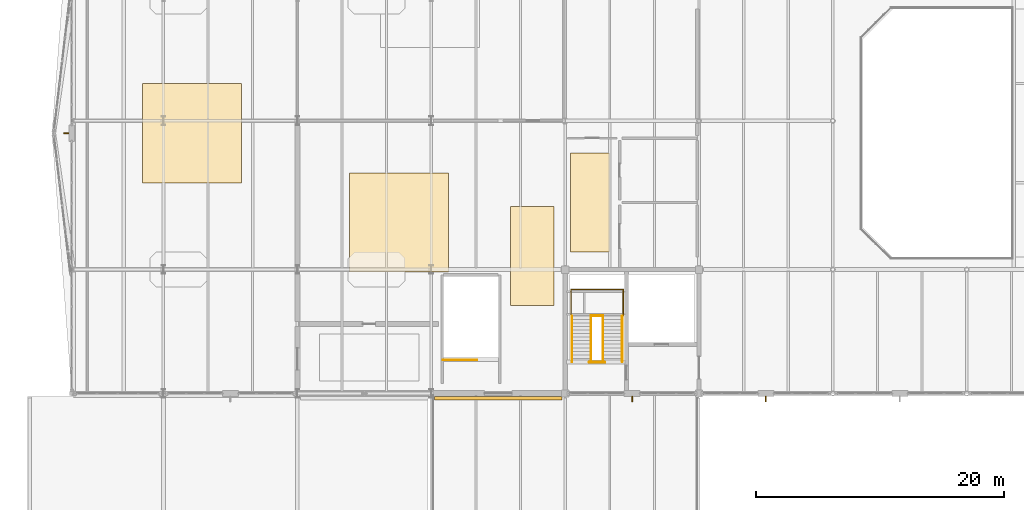
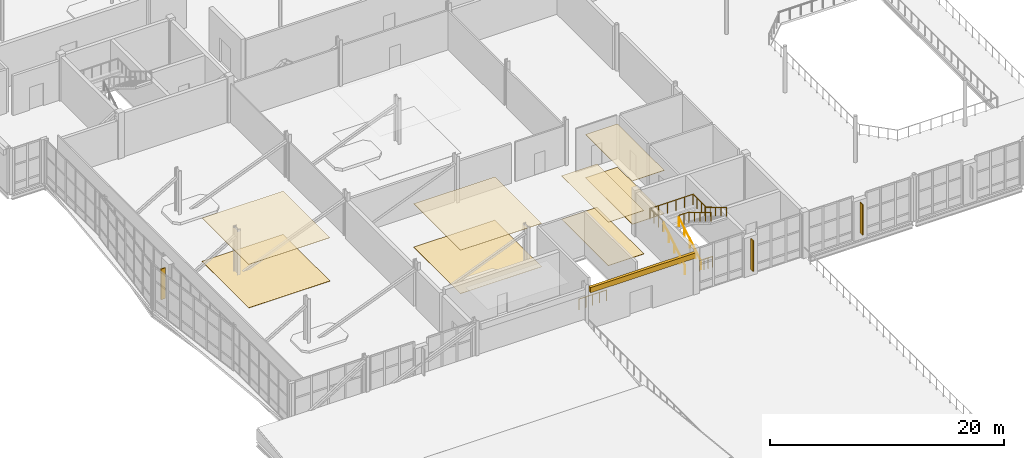
# One storey, part 92 of 100: 9 coverings, 8 railings, 3 shading devices.
"""IFC4 building model written with IfcOpenShell, lengths in metres."""

import ifcopenshell
import ifcopenshell.guid

model = None  # the IFC model being written
_history = None  # IfcOwnerHistory: only IFC2X3 demands one
_inside = {}  # id of a spatial element -> (the spatial element, [elements in it])
_under = {}  # id of a project, library or spatial element -> (it, [spatial elements below it])
_declared = {}  # id of a project -> (the project, [libraries it declares])
_typed = {}  # id of a type object -> (the type object, [elements of that type])
_made_of = {}  # id of a material, layer set ... -> (it, [elements and type objects made of it])


def new_model(schema):
    """Start an empty IFC model of exactly this schema.

    Asked for "IFC4X3", IfcOpenShell would pick the latest addendum, in which some entities
    have other attributes; the version numbers below select the first issue.
    IFC2X3 requires an IfcOwnerHistory on every rooted entity: one is made here for all.
    """
    global model, _history
    if schema == "IFC4X3":
        model = ifcopenshell.file(schema_version=(4, 3, 0, 0))
    else:
        model = ifcopenshell.file(schema=schema)
    _inside.clear()
    _under.clear()
    _declared.clear()
    _typed.clear()
    _made_of.clear()
    _history = None
    if model.schema == "IFC2X3":
        org = make("IfcOrganization", Name="unknown")
        user = make(
            "IfcPersonAndOrganization",
            ThePerson=make("IfcPerson", FamilyName="unknown"),
            TheOrganization=org,
        )
        app = make(
            "IfcApplication",
            ApplicationDeveloper=org,
            Version="unknown",
            ApplicationFullName="unknown",
            ApplicationIdentifier="unknown",
        )
        _history = make(
            "IfcOwnerHistory",
            OwningUser=user,
            OwningApplication=app,
            ChangeAction="ADDED",
            CreationDate=0,
        )
    return model


def make(cls, **values):
    """One entity of the class cls with the attributes given. An attribute that is None is left unset."""
    return model.create_entity(
        cls, **{name: value for name, value in values.items() if value is not None}
    )


def rooted(cls, **values):
    """An entity with a GlobalId (a new one), such as an element, a storey or a relation."""
    return make(cls, GlobalId=ifcopenshell.guid.new(), OwnerHistory=_history, **values)


def si_unit(unit_type, name, prefix=None):
    """IfcSIUnit, for example si_unit("LENGTHUNIT", "METRE", prefix="MILLI")."""
    return make("IfcSIUnit", UnitType=unit_type, Prefix=prefix, Name=name)


def assignment(units):
    """IfcUnitAssignment: the units of a project."""
    return None if units is None else make("IfcUnitAssignment", Units=units)


def point(xyz):
    """IfcCartesianPoint."""
    return None if xyz is None else make("IfcCartesianPoint", Coordinates=xyz)


def direction(xyz):
    """IfcDirection."""
    return None if xyz is None else make("IfcDirection", DirectionRatios=xyz)


def frame(location, z_axis=None, x_axis=None):
    """IfcAxis2Placement3D, a coordinate frame: its origin and axes. An axis left out is left unset."""
    return make(
        "IfcAxis2Placement3D",
        Location=point(location),
        Axis=direction(z_axis),
        RefDirection=direction(x_axis),
    )


def frame_2d(location, x_axis=None):
    """IfcAxis2Placement2D, a coordinate frame in the plane: its origin and x axis."""
    return make(
        "IfcAxis2Placement2D", Location=point(location), RefDirection=direction(x_axis)
    )


def origin():
    """The frame at (0, 0, 0) with its axes left unset."""
    return frame((0.0, 0.0, 0.0))


def origin_2d():
    """The frame at (0, 0) in the plane with its x axis left unset."""
    return frame_2d((0.0, 0.0))


def place(relative_to, where):
    """IfcLocalPlacement: puts the frame where relative to a parent placement (None: the world)."""
    return make(
        "IfcLocalPlacement", PlacementRelTo=relative_to, RelativePlacement=where
    )


def context(
    kind, dimensions, precision=None, world=None, true_north=None, identifier=None
):
    """IfcGeometricRepresentationContext, for example the 3D "Model" context."""
    return make(
        "IfcGeometricRepresentationContext",
        ContextIdentifier=identifier,
        ContextType=kind,
        CoordinateSpaceDimension=dimensions,
        Precision=precision,
        WorldCoordinateSystem=world,
        TrueNorth=true_north,
    )


def subcontext(parent, identifier, kind, view, scale=None):
    """IfcGeometricRepresentationSubContext, for example "Body" below "Model"."""
    return make(
        "IfcGeometricRepresentationSubContext",
        ContextIdentifier=identifier,
        ContextType=kind,
        ParentContext=parent,
        TargetScale=scale,
        TargetView=view,
    )


def project(units=None, contexts=None):
    """IfcProject with its units and contexts."""
    return rooted(
        "IfcProject",
        Name="project",
        RepresentationContexts=contexts,
        UnitsInContext=assignment(units),
    )


def spatial(cls, under=None, at=None, **own):
    """A site, building, storey or space (cls), placed at a placement, below another one or the project."""
    s = rooted(cls, ObjectPlacement=at, **own)
    if under is not None:
        _under.setdefault(under.id(), (under, []))[1].append(s)
    return s


def profile(cls, at=None, kind="AREA", **sizes):
    """A parametric profile (cls). Its sizes go by their IFC names, for example OverallWidth=200.0."""
    return make(cls, ProfileType=kind, Position=at, **sizes)


def rectangle(**sizes):
    """IfcRectangleProfileDef."""
    return profile("IfcRectangleProfileDef", **sizes)


def circle(**sizes):
    """IfcCircleProfileDef."""
    return profile("IfcCircleProfileDef", **sizes)


def extrude(swept, where, along, depth):
    """IfcExtrudedAreaSolid: the profile swept, set in the frame where, extruded along a direction by depth."""
    return make(
        "IfcExtrudedAreaSolid",
        SweptArea=swept,
        Position=where,
        ExtrudedDirection=direction(along),
        Depth=depth,
    )


def shape(context_of_items, identifier, shape_type, items):
    """IfcShapeRepresentation: the items that make up one representation, for example the "Body"."""
    return make(
        "IfcShapeRepresentation",
        ContextOfItems=context_of_items,
        RepresentationIdentifier=identifier,
        RepresentationType=shape_type,
        Items=items,
    )


def material(Name=None, Category=None):
    """IfcMaterial."""
    return make("IfcMaterial", Name=Name, Category=Category)


def layer(
    of_material, thickness, ventilated=None, Name=None, Category=None, Priority=None
):
    """IfcMaterialLayer: one layer of a wall or slab, of a material (None: an air gap)."""
    return make(
        "IfcMaterialLayer",
        Material=of_material,
        LayerThickness=thickness,
        IsVentilated=ventilated,
        Name=Name,
        Category=Category,
        Priority=Priority,
    )


def layer_set(layers, Name=None):
    """IfcMaterialLayerSet."""
    return make("IfcMaterialLayerSet", MaterialLayers=layers, LayerSetName=Name)


def made_of(thing, what):
    """Note that an element or type object is made of a material, layer set ...; save() writes the relation."""
    if what is not None:
        _made_of.setdefault(what.id(), (what, []))[1].append(thing)
    return thing


def type_object(cls, material=None, **own):
    """A type object (cls), such as IfcWallType, which elements share."""
    return made_of(rooted(cls, **own), material)


def element(
    cls,
    number,
    at=None,
    inside=None,
    cuts=None,
    type_object=None,
    material=None,
    context=None,
    identifier="Body",
    shape_type=None,
    held_by="IfcProductDefinitionShape",
    body=None,
    shapes=None,
    **own,
):
    """One element of the class cls, such as IfcWall. Its Tag is "e" and its number.

    at: its placement. inside: the storey or other place that contains it. cuts: it is an
    opening in that element (IfcRelVoidsElement). A single representation is given by context,
    identifier, shape_type and body (its items); several are given by shapes. held_by: the class
    of the entity that holds the representations. save() writes the other relations.
    """
    e = rooted(cls, Tag="e%d" % number, ObjectPlacement=at, **own)
    if body is not None:
        shapes = [shape(context, identifier, shape_type, body)]
    if shapes is not None:
        e.Representation = make(held_by, Representations=shapes)
    if inside is not None:
        _inside.setdefault(inside.id(), (inside, []))[1].append(e)
    if cuts is not None:
        rooted(
            "IfcRelVoidsElement", RelatingBuildingElement=cuts, RelatedOpeningElement=e
        )
    if type_object is not None:
        _typed.setdefault(type_object.id(), (type_object, []))[1].append(e)
    return made_of(e, material)


def aggregate(whole, parts):
    """IfcRelAggregates: a whole, such as a stair, and the parts it consists of."""
    return rooted("IfcRelAggregates", RelatingObject=whole, RelatedObjects=parts)


def save(model, path):
    """Write the relations noted so far, then the file.

    IfcRelAggregates (storeys below a building ...), IfcRelContainedInSpatialStructure (elements
    in a storey), IfcRelDefinesByType, IfcRelAssociatesMaterial and IfcRelDeclares: one each for
    every whole, place, type object, material and project.
    """
    for whole, parts in _under.values():
        aggregate(whole, parts)
    for where, things in _inside.values():
        rooted(
            "IfcRelContainedInSpatialStructure",
            RelatedElements=things,
            RelatingStructure=where,
        )
    for kind, things in _typed.values():
        rooted("IfcRelDefinesByType", RelatedObjects=things, RelatingType=kind)
    for what, things in _made_of.values():
        rooted("IfcRelAssociatesMaterial", RelatedObjects=things, RelatingMaterial=what)
    for by, libraries in _declared.values():
        rooted("IfcRelDeclares", RelatingContext=by, RelatedDefinitions=libraries)
    model.write(path)


model = new_model("IFC4")

# Units and contexts
model_context = context("Model", 3, precision=1e-05, world=origin(), true_north=direction((0.0, 1.0)))
body_context = subcontext(model_context, "Body", "Model", "MODEL_VIEW")
ifc_project = project(units=[si_unit("LENGTHUNIT", "METRE"), si_unit("AREAUNIT", "SQUARE_METRE"), si_unit("VOLUMEUNIT", "CUBIC_METRE"), si_unit("PLANEANGLEUNIT", "RADIAN"), si_unit("MASSUNIT", "GRAM", prefix="KILO")], contexts=[model_context])

# Site, building, storey
site_placement = place(None, origin())
site = spatial("IfcSite", under=ifc_project, at=site_placement, CompositionType="ELEMENT")
building_placement = place(site_placement, origin())
building = spatial("IfcBuilding", under=site, at=building_placement, Name="Tasgan Crest Museum", CompositionType="ELEMENT")
storey_placement = place(building_placement, frame((0.0, 0.0, 9.60009765625)))
storey = spatial("IfcBuildingStorey", under=building, at=storey_placement, Name="L02", CompositionType="ELEMENT", Elevation=9.60009765625)

# Coverings
ifc_material_1 = material(Name="Perforated Gypsum Acoustic Ceiling")
ifc_layer_1 = layer(ifc_material_1, 0.034912109375, Name="COV-CEIL-ACOUST")
ifc_layer_set_1 = layer_set([ifc_layer_1], Name="Perforated Gypsum Acoustic Ceiling")
covering_type_1 = type_object("IfcCoveringType", Name="COV-CEIL-ACOUST", PredefinedType="CEILING", material=ifc_layer_set_1)
covering_1_placement = place(storey_placement, frame((13.10009765625, 61.0, 4.5048828125), z_axis=(0.0, 0.0, 1.0), x_axis=(1.0, 0.0, 0.0)))
element("IfcCovering", 1, at=covering_1_placement, inside=storey, type_object=covering_type_1, Name="Cantilevered Panorama Natural History Gallery acoustic ceiling", PredefinedType="CEILING", context=body_context, shape_type="SweptSolid", body=[
    extrude(rectangle(XDim=8.0, YDim=8.0, at=origin_2d()), origin(), (0.0, 0.0, 1.0), 0.034912109375),
])
covering_2_placement = place(storey_placement, frame((40.550048828125, 51.10009765625, 4.5048828125), z_axis=(0.0, 0.0, 1.0), x_axis=(1.0, 0.0, 0.0)))
element("IfcCovering", 2, at=covering_2_placement, inside=storey, type_object=covering_type_1, Name="Second Floor Core Link Corridor acoustic ceiling", PredefinedType="CEILING", context=body_context, shape_type="SweptSolid", body=[
    extrude(rectangle(XDim=3.5, YDim=8.0, at=origin_2d()), origin(), (0.0, 0.0, 1.0), 0.034912109375),
])
covering_3_placement = place(storey_placement, frame((29.800048828125, 53.800048828125, 4.5048828125), z_axis=(0.0, 0.0, 1.0), x_axis=(1.0, 0.0, 0.0)))
element("IfcCovering", 3, at=covering_3_placement, inside=storey, type_object=covering_type_1, Name="Theropod Evolution Exhibition Gallery acoustic ceiling", PredefinedType="CEILING", context=body_context, shape_type="SweptSolid", body=[
    extrude(rectangle(XDim=8.0, YDim=8.0, at=origin_2d()), origin(), (0.0, 0.0, 1.0), 0.034912109375),
])
covering_4_placement = place(storey_placement, frame((45.22509765625, 55.39990234375, 4.5048828125), z_axis=(0.0, 0.0, 1.0), x_axis=(1.0, 0.0, 0.0)))
element("IfcCovering", 4, at=covering_4_placement, inside=storey, type_object=covering_type_1, Name="Second Floor Sanitary Vestibule acoustic ceiling", PredefinedType="CEILING", context=body_context, shape_type="SweptSolid", body=[
    extrude(rectangle(XDim=3.14990234375, YDim=8.0, at=origin_2d()), origin(), (0.0, 0.0, 1.0), 0.034912109375),
])
ifc_material_2 = material(Name="Engineered Steppe Oak Parquet")
ifc_layer_2 = layer(ifc_material_2, 0.02490234375, Name="COV-FLOOR-OAK")
ifc_layer_set_2 = layer_set([ifc_layer_2], Name="Engineered Steppe Oak Parquet")
covering_type_2 = type_object("IfcCoveringType", Name="COV-FLOOR-OAK", PredefinedType="FLOORING", material=ifc_layer_set_2)
for number, where, z_axis, x_axis, name in (
    (5, (13.10009765625, 61.0, 0.0), (0.0, 0.0, 1.0), (1.0, 0.0, 0.0), "Cantilevered Panorama Natural History Gallery floor finish"),
    (6, (29.800048828125, 53.800048828125, 0.0), (0.0, 0.0, 1.0), (1.0, 0.0, 0.0), "Theropod Evolution Exhibition Gallery floor finish"),
):
    element("IfcCovering", number, at=place(storey_placement, frame(where, z_axis=z_axis, x_axis=x_axis)), inside=storey, type_object=covering_type_2, Name=name, PredefinedType="FLOORING", context=body_context, shape_type="SweptSolid", body=[
        extrude(rectangle(XDim=8.0, YDim=8.0, at=origin_2d()), origin(), (0.0, 0.0, 1.0), 0.02490234375),
    ])
ifc_material_3 = material(Name="Polished Granite Terrazzo", Category="masonry")
ifc_layer_3 = layer(ifc_material_3, 0.030029296875, Name="COV-FLOOR-TERRAZZO")
ifc_layer_set_3 = layer_set([ifc_layer_3], Name="Polished Granite Terrazzo")
covering_type_3 = type_object("IfcCoveringType", Name="COV-FLOOR-TERRAZZO", PredefinedType="FLOORING", material=ifc_layer_set_3)
covering_5_placement = place(storey_placement, frame((40.550048828125, 51.10009765625, 0.0), z_axis=(0.0, 0.0, 1.0), x_axis=(1.0, 0.0, 0.0)))
element("IfcCovering", 7, at=covering_5_placement, inside=storey, type_object=covering_type_3, Name="Second Floor Core Link Corridor floor finish", PredefinedType="FLOORING", context=body_context, shape_type="SweptSolid", body=[
    extrude(rectangle(XDim=3.5, YDim=8.0, at=origin_2d()), origin(), (0.0, 0.0, 1.0), 0.030029296875),
])
covering_6_placement = place(storey_placement, frame((45.22509765625, 55.39990234375, 0.0), z_axis=(0.0, 0.0, 1.0), x_axis=(1.0, 0.0, 0.0)))
element("IfcCovering", 8, at=covering_6_placement, inside=storey, type_object=covering_type_3, Name="Second Floor Sanitary Vestibule floor finish", PredefinedType="FLOORING", context=body_context, shape_type="SweptSolid", body=[
    extrude(rectangle(XDim=3.14990234375, YDim=8.0, at=origin_2d()), origin(), (0.0, 0.0, 1.0), 0.030029296875),
])
ifc_material_4 = material(Name="Honed Rose-Red Mongolian Granite", Category="masonry")
ifc_layer_4 = layer(ifc_material_4, 0.0400390625, Name="COV-GRANITE-ROSE")
ifc_layer_set_4 = layer_set([ifc_layer_4], Name="Honed Rose-Red Mongolian Granite")
covering_type_4 = type_object("IfcCoveringType", Name="COV-GRANITE-ROSE", PredefinedType="CLADDING", material=ifc_layer_set_4)
covering_7_placement = place(storey_placement, frame((37.800048828125, 39.6201171875, 3.9599609375), z_axis=(0.0, 0.0, 1.0), x_axis=(1.0, 0.0, 0.0)))
element("IfcCovering", 9, at=covering_7_placement, inside=storey, type_object=covering_type_4, Name="Stone frieze cladding L02", PredefinedType="CLADDING", context=body_context, shape_type="SweptSolid", body=[
    extrude(rectangle(XDim=10.31005859375, YDim=0.280029296875, at=origin_2d()), origin(), (0.0, 0.0, 1.0), 0.550048828125),
])

# Railings
ifc_material_5 = material(Name="Brushed Bronze and Toughened Glass", Category="glass")
railing_type_1 = type_object("IfcRailingType", Name="RL-INT-GUARD-1120", PredefinedType="GUARDRAIL", material=ifc_material_5)
railing_1_placement = place(storey_placement, frame((45.139892578125, 42.52001953125, 0.0)))
element("IfcRailing", 10, at=railing_1_placement, inside=storey, type_object=railing_type_1, Name="South-West Foyer & Paleontology Core floor slot guard L02", PredefinedType="GUARDRAIL", context=body_context, shape_type="SweptSolid", body=[
    extrude(circle(Radius=0.02392578125, at=origin_2d()), frame((0.0, 0.0, 1.09619140625), z_axis=(1.0, 0.0, 0.0), x_axis=(0.0, 1.0, 0.0)), (0.0, 0.0, 1.0), 1.27001953125),
    extrude(circle(Radius=0.02099609375, at=origin_2d()), origin(), (0.0, 0.0, 1.0), 1.072021484375),
    extrude(circle(Radius=0.02099609375, at=origin_2d()), frame((0.42333984375, 0.0, 0.0)), (0.0, 0.0, 1.0), 1.072021484375),
    extrude(circle(Radius=0.02099609375, at=origin_2d()), frame((0.8466796875, 0.0, 0.0)), (0.0, 0.0, 1.0), 1.072021484375),
    extrude(circle(Radius=0.02099609375, at=origin_2d()), frame((1.27001953125, 0.0, 0.0)), (0.0, 0.0, 1.0), 1.072021484375),
])
railing_2_placement = place(storey_placement, frame((45.280029296875, 46.27490234375, 2.39990234375)))
element("IfcRailing", 11, at=railing_2_placement, inside=storey, type_object=railing_type_1, Name="Stair half-landing well guard ST-SW-L02 T1", PredefinedType="GUARDRAIL", context=body_context, shape_type="SweptSolid", body=[
    extrude(circle(Radius=0.02392578125, at=origin_2d()), frame((0.0, 0.0, 1.09619140625), z_axis=(1.0, 0.0, 0.0), x_axis=(0.0, 1.0, 0.0)), (0.0, 0.0, 1.0), 0.989990234375),
    extrude(circle(Radius=0.02099609375, at=origin_2d()), origin(), (0.0, 0.0, 1.0), 1.072021484375),
    extrude(circle(Radius=0.02099609375, at=origin_2d()), frame((0.4951171875, 0.0, 0.0)), (0.0, 0.0, 1.0), 1.072021484375),
    extrude(circle(Radius=0.02099609375, at=origin_2d()), frame((0.989990234375, 0.0, 0.0)), (0.0, 0.0, 1.0), 1.072021484375),
])
railing_3_placement = place(storey_placement, frame((43.659912109375, 46.294921875, 2.39990234375)))
element("IfcRailing", 12, at=railing_3_placement, inside=storey, type_object=railing_type_1, Name="Stair half-landing perimeter guard ST-SW-L02 T1", PredefinedType="GUARDRAIL", context=body_context, shape_type="SweptSolid", body=[
    extrude(circle(Radius=0.02392578125, at=origin_2d()), frame((0.0, 0.0, 1.09619140625), z_axis=(0.0, 1.0, 0.0), x_axis=(-1.0, 0.0, 0.0)), (0.0, 0.0, 1.0), 2.10009765625),
    extrude(circle(Radius=0.02392578125, at=origin_2d()), frame((0.0, 2.10009765625, 1.09619140625), z_axis=(1.0, 0.0, 0.0), x_axis=(0.0, 1.0, 0.0)), (0.0, 0.0, 1.0), 4.22998046875),
    extrude(circle(Radius=0.02392578125, at=origin_2d()), frame((4.22998046875, 2.10009765625, 1.09619140625), z_axis=(0.0, -1.0, 0.0), x_axis=(1.0, 0.0, 0.0)), (0.0, 0.0, 1.0), 2.10009765625),
    extrude(circle(Radius=0.02099609375, at=origin_2d()), origin(), (0.0, 0.0, 1.0), 1.072021484375),
    extrude(circle(Radius=0.02099609375, at=origin_2d()), frame((0.0, 0.699951171875, 0.0)), (0.0, 0.0, 1.0), 1.072021484375),
    extrude(circle(Radius=0.02099609375, at=origin_2d()), frame((0.0, 1.400146484375, 0.0)), (0.0, 0.0, 1.0), 1.072021484375),
    extrude(circle(Radius=0.02099609375, at=origin_2d()), frame((0.0, 2.10009765625, 0.0)), (0.0, 0.0, 1.0), 1.072021484375),
    extrude(circle(Radius=0.02099609375, at=origin_2d()), frame((0.845947265625, 2.10009765625, 0.0)), (0.0, 0.0, 1.0), 1.072021484375),
    extrude(circle(Radius=0.02099609375, at=origin_2d()), frame((1.69189453125, 2.10009765625, 0.0)), (0.0, 0.0, 1.0), 1.072021484375),
    extrude(circle(Radius=0.02099609375, at=origin_2d()), frame((2.5380859375, 2.10009765625, 0.0)), (0.0, 0.0, 1.0), 1.072021484375),
    extrude(circle(Radius=0.02099609375, at=origin_2d()), frame((3.384033203125, 2.10009765625, 0.0)), (0.0, 0.0, 1.0), 1.072021484375),
    extrude(circle(Radius=0.02099609375, at=origin_2d()), frame((4.22998046875, 2.10009765625, 0.0)), (0.0, 0.0, 1.0), 1.072021484375),
    extrude(circle(Radius=0.02099609375, at=origin_2d()), frame((4.22998046875, 1.400146484375, 0.0)), (0.0, 0.0, 1.0), 1.072021484375),
    extrude(circle(Radius=0.02099609375, at=origin_2d()), frame((4.22998046875, 0.699951171875, 0.0)), (0.0, 0.0, 1.0), 1.072021484375),
    extrude(circle(Radius=0.02099609375, at=origin_2d()), frame((4.22998046875, 0.0, 0.0)), (0.0, 0.0, 1.0), 1.072021484375),
])
railing_4_placement = place(storey_placement, frame((33.360107421875, 42.719970703125, 0.0)))
element("IfcRailing", 13, at=railing_4_placement, inside=storey, type_object=railing_type_1, Name="GALP top arrival guard L02", PredefinedType="GUARDRAIL", context=body_context, shape_type="SweptSolid", body=[
    extrude(circle(Radius=0.02392578125, at=origin_2d()), frame((0.0, 0.0, 1.09619140625), z_axis=(1.0, 0.0, 0.0), x_axis=(0.0, 1.0, 0.0)), (0.0, 0.0, 1.0), 2.739990234375),
    extrude(circle(Radius=0.02099609375, at=origin_2d()), origin(), (0.0, 0.0, 1.0), 1.072021484375),
    extrude(circle(Radius=0.02099609375, at=origin_2d()), frame((0.68505859375, 0.0, 0.0)), (0.0, 0.0, 1.0), 1.072021484375),
    extrude(circle(Radius=0.02099609375, at=origin_2d()), frame((1.3701171875, 0.0, 0.0)), (0.0, 0.0, 1.0), 1.072021484375),
    extrude(circle(Radius=0.02099609375, at=origin_2d()), frame((2.054931640625, 0.0, 0.0)), (0.0, 0.0, 1.0), 1.072021484375),
    extrude(circle(Radius=0.02099609375, at=origin_2d()), frame((2.739990234375, 0.0, 0.0)), (0.0, 0.0, 1.0), 1.072021484375),
])
ifc_material_6 = material(Name="Brushed Stainless Steel", Category="steel")
railing_type_2 = type_object("IfcRailingType", Name="RL-STAIR-HAND-920", PredefinedType="HANDRAIL", material=ifc_material_6)
for number, where, name in (
    (14, (43.739990234375, 42.550048828125, 0.17138671875), "Stair handrail STAIR-CORE-SW-L02-F1 L"),
    (15, (45.280029296875, 42.550048828125, 0.17138671875), "Stair handrail STAIR-CORE-SW-L02-F1 R"),
):
    element("IfcRailing", number, at=place(storey_placement, frame(where)), inside=storey, type_object=railing_type_2, Name=name, PredefinedType="HANDRAIL", context=body_context, shape_type="SweptSolid", body=[
        extrude(circle(Radius=0.02392578125, at=origin_2d()), frame((0.0, 0.0, 0.89599609375), z_axis=(0.0, 0.856919398105, 0.515450429384), x_axis=(-1.0, 0.0, 0.0)), (0.0, 0.0, 1.0), 4.323486328125),
        extrude(circle(Radius=0.02099609375, at=origin_2d()), origin(), (0.0, 0.0, 1.0), 0.871826171875),
        extrude(circle(Radius=0.02099609375, at=origin_2d()), frame((0.0, 0.92626953125, 0.55712890625)), (0.0, 0.0, 1.0), 0.871826171875),
        extrude(circle(Radius=0.02099609375, at=origin_2d()), frame((0.0, 1.8525390625, 1.1142578125)), (0.0, 0.0, 1.0), 0.871826171875),
        extrude(circle(Radius=0.02099609375, at=origin_2d()), frame((0.0, 2.778564453125, 1.67138671875)), (0.0, 0.0, 1.0), 0.871826171875),
        extrude(circle(Radius=0.02099609375, at=origin_2d()), frame((0.0, 3.704833984375, 2.228515625)), (0.0, 0.0, 1.0), 0.871826171875),
    ])
for number, where, name in (
    (16, (47.81005859375, 46.2548828125, 2.5712890625), "Stair handrail STAIR-CORE-SW-L02-F2 L"),
    (17, (46.27001953125, 46.2548828125, 2.5712890625), "Stair handrail STAIR-CORE-SW-L02-F2 R"),
):
    element("IfcRailing", number, at=place(storey_placement, frame(where)), inside=storey, type_object=railing_type_2, Name=name, PredefinedType="HANDRAIL", context=body_context, shape_type="SweptSolid", body=[
        extrude(circle(Radius=0.02392578125, at=origin_2d()), frame((0.0, 0.0, 0.89599609375), z_axis=(0.0, -0.856919398105, 0.515450429384), x_axis=(1.0, 0.0, 0.0)), (0.0, 0.0, 1.0), 4.323486328125),
        extrude(circle(Radius=0.02099609375, at=origin_2d()), origin(), (0.0, 0.0, 1.0), 0.871826171875),
        extrude(circle(Radius=0.02099609375, at=origin_2d()), frame((0.0, -0.92626953125, 0.55712890625)), (0.0, 0.0, 1.0), 0.871826171875),
        extrude(circle(Radius=0.02099609375, at=origin_2d()), frame((0.0, -1.8525390625, 1.1142578125)), (0.0, 0.0, 1.0), 0.871826171875),
        extrude(circle(Radius=0.02099609375, at=origin_2d()), frame((0.0, -2.778564453125, 1.67138671875)), (0.0, 0.0, 1.0), 0.871826171875),
        extrude(circle(Radius=0.02099609375, at=origin_2d()), frame((0.0, -3.704833984375, 2.228515625)), (0.0, 0.0, 1.0), 0.871826171875),
    ])

# Shading devices
ifc_material_7 = material(Name="Anodised Bronze Aluminium", Category="aluminium")
shading_device_type = type_object("IfcShadingDeviceType", Name="SH-FIN-V400", PredefinedType="JALOUSIE", material=ifc_material_7)
for number, where, z_axis, x_axis, name in (
    (18, (2.949951171875, 61.0, 0.6796875), (0.0, 0.0, 1.0), (0.0, -1.0, 0.0), "Facade pier solar fin L02"),
    (19, (48.60009765625, 39.550048828125, 0.6796875), (0.0, 0.0, 1.0), (1.0, 0.0, 0.0), "Facade pier solar fin L02"),
    (20, (59.39990234375, 39.550048828125, 0.6796875), (0.0, 0.0, 1.0), (1.0, 0.0, 0.0), "Facade pier solar fin L02"),
):
    element("IfcShadingDevice", number, at=place(storey_placement, frame(where, z_axis=z_axis, x_axis=x_axis)), inside=storey, type_object=shading_device_type, Name=name, PredefinedType="JALOUSIE", context=body_context, shape_type="SweptSolid", body=[
        extrude(rectangle(XDim=0.080078125, YDim=0.419921875, at=origin_2d()), origin(), (0.0, 0.0, 1.0), 3.199951171875),
    ])

save(model, "model.ifc")
